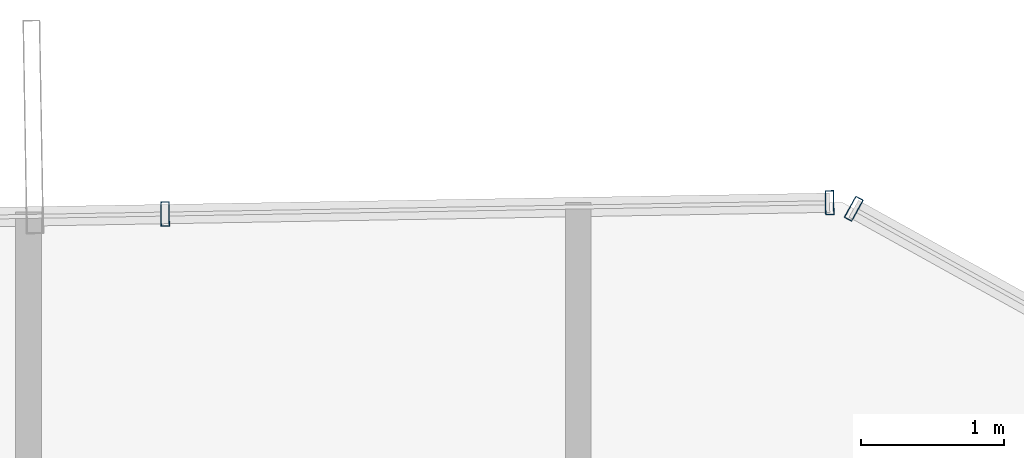
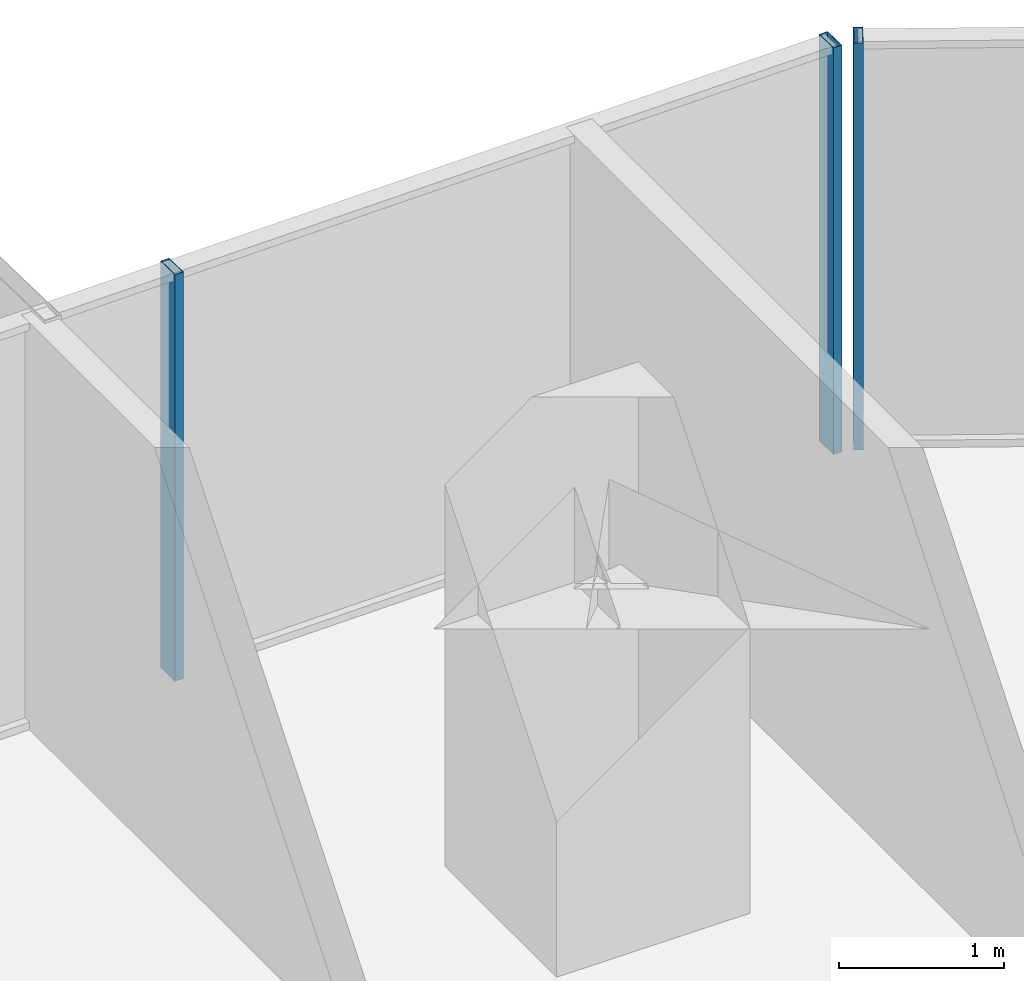
# One storey, part 29 of 39: 3 members, 2 elements without a shape of their own.
"""IFC4 building model written with IfcOpenShell, lengths in metres."""

import ifcopenshell
import ifcopenshell.guid

model = None  # the IFC model being written
_history = None  # IfcOwnerHistory: only IFC2X3 demands one
_inside = {}  # id of a spatial element -> (the spatial element, [elements in it])
_under = {}  # id of a project, library or spatial element -> (it, [spatial elements below it])
_declared = {}  # id of a project -> (the project, [libraries it declares])
_typed = {}  # id of a type object -> (the type object, [elements of that type])
_made_of = {}  # id of a material, layer set ... -> (it, [elements and type objects made of it])


def new_model(schema):
    """Start an empty IFC model of exactly this schema.

    Asked for "IFC4X3", IfcOpenShell would pick the latest addendum, in which some entities
    have other attributes; the version numbers below select the first issue.
    IFC2X3 requires an IfcOwnerHistory on every rooted entity: one is made here for all.
    """
    global model, _history
    if schema == "IFC4X3":
        model = ifcopenshell.file(schema_version=(4, 3, 0, 0))
    else:
        model = ifcopenshell.file(schema=schema)
    _inside.clear()
    _under.clear()
    _declared.clear()
    _typed.clear()
    _made_of.clear()
    _history = None
    if model.schema == "IFC2X3":
        org = make("IfcOrganization", Name="unknown")
        user = make(
            "IfcPersonAndOrganization",
            ThePerson=make("IfcPerson", FamilyName="unknown"),
            TheOrganization=org,
        )
        app = make(
            "IfcApplication",
            ApplicationDeveloper=org,
            Version="unknown",
            ApplicationFullName="unknown",
            ApplicationIdentifier="unknown",
        )
        _history = make(
            "IfcOwnerHistory",
            OwningUser=user,
            OwningApplication=app,
            ChangeAction="ADDED",
            CreationDate=0,
        )
    return model


def make(cls, **values):
    """One entity of the class cls with the attributes given. An attribute that is None is left unset."""
    return model.create_entity(
        cls, **{name: value for name, value in values.items() if value is not None}
    )


def rooted(cls, **values):
    """An entity with a GlobalId (a new one), such as an element, a storey or a relation."""
    return make(cls, GlobalId=ifcopenshell.guid.new(), OwnerHistory=_history, **values)


def si_unit(unit_type, name, prefix=None):
    """IfcSIUnit, for example si_unit("LENGTHUNIT", "METRE", prefix="MILLI")."""
    return make("IfcSIUnit", UnitType=unit_type, Prefix=prefix, Name=name)


def assignment(units):
    """IfcUnitAssignment: the units of a project."""
    return None if units is None else make("IfcUnitAssignment", Units=units)


def point(xyz):
    """IfcCartesianPoint."""
    return None if xyz is None else make("IfcCartesianPoint", Coordinates=xyz)


def direction(xyz):
    """IfcDirection."""
    return None if xyz is None else make("IfcDirection", DirectionRatios=xyz)


def frame(location, z_axis=None, x_axis=None):
    """IfcAxis2Placement3D, a coordinate frame: its origin and axes. An axis left out is left unset."""
    return make(
        "IfcAxis2Placement3D",
        Location=point(location),
        Axis=direction(z_axis),
        RefDirection=direction(x_axis),
    )


def frame_2d(location, x_axis=None):
    """IfcAxis2Placement2D, a coordinate frame in the plane: its origin and x axis."""
    return make(
        "IfcAxis2Placement2D", Location=point(location), RefDirection=direction(x_axis)
    )


def origin():
    """The frame at (0, 0, 0) with its axes left unset."""
    return frame((0.0, 0.0, 0.0))


def origin_2d():
    """The frame at (0, 0) in the plane with its x axis left unset."""
    return frame_2d((0.0, 0.0))


def place(relative_to, where):
    """IfcLocalPlacement: puts the frame where relative to a parent placement (None: the world)."""
    return make(
        "IfcLocalPlacement", PlacementRelTo=relative_to, RelativePlacement=where
    )


def context(
    kind, dimensions, precision=None, world=None, true_north=None, identifier=None
):
    """IfcGeometricRepresentationContext, for example the 3D "Model" context."""
    return make(
        "IfcGeometricRepresentationContext",
        ContextIdentifier=identifier,
        ContextType=kind,
        CoordinateSpaceDimension=dimensions,
        Precision=precision,
        WorldCoordinateSystem=world,
        TrueNorth=true_north,
    )


def subcontext(parent, identifier, kind, view, scale=None):
    """IfcGeometricRepresentationSubContext, for example "Body" below "Model"."""
    return make(
        "IfcGeometricRepresentationSubContext",
        ContextIdentifier=identifier,
        ContextType=kind,
        ParentContext=parent,
        TargetScale=scale,
        TargetView=view,
    )


def project(units=None, contexts=None):
    """IfcProject with its units and contexts."""
    return rooted(
        "IfcProject",
        Name="project",
        RepresentationContexts=contexts,
        UnitsInContext=assignment(units),
    )


def spatial(cls, under=None, at=None, **own):
    """A site, building, storey or space (cls), placed at a placement, below another one or the project."""
    s = rooted(cls, ObjectPlacement=at, **own)
    if under is not None:
        _under.setdefault(under.id(), (under, []))[1].append(s)
    return s


def profile(cls, at=None, kind="AREA", **sizes):
    """A parametric profile (cls). Its sizes go by their IFC names, for example OverallWidth=200.0."""
    return make(cls, ProfileType=kind, Position=at, **sizes)


def hollow_rectangle(**sizes):
    """IfcRectangleHollowProfileDef."""
    return profile("IfcRectangleHollowProfileDef", **sizes)


def extrude(swept, where, along, depth):
    """IfcExtrudedAreaSolid: the profile swept, set in the frame where, extruded along a direction by depth."""
    return make(
        "IfcExtrudedAreaSolid",
        SweptArea=swept,
        Position=where,
        ExtrudedDirection=direction(along),
        Depth=depth,
    )


def shape(context_of_items, identifier, shape_type, items):
    """IfcShapeRepresentation: the items that make up one representation, for example the "Body"."""
    return make(
        "IfcShapeRepresentation",
        ContextOfItems=context_of_items,
        RepresentationIdentifier=identifier,
        RepresentationType=shape_type,
        Items=items,
    )


def source(mapping_origin, context_of_items, identifier, shape_type, items):
    """IfcRepresentationMap: a shape defined once, which mapped items show again and again."""
    return make(
        "IfcRepresentationMap",
        MappingOrigin=mapping_origin,
        MappedRepresentation=shape(context_of_items, identifier, shape_type, items),
    )


def transform(
    local_origin,
    x_axis=None,
    y_axis=None,
    z_axis=None,
    scale=None,
    scale2=None,
    scale3=None,
    uniform=True,
):
    """IfcCartesianTransformationOperator3D, or its non-uniform kind. x_axis, y_axis, z_axis: its Axis1, 2, 3."""
    if uniform:
        return make(
            "IfcCartesianTransformationOperator3D",
            Axis1=direction(x_axis),
            Axis2=direction(y_axis),
            LocalOrigin=point(local_origin),
            Scale=scale,
            Axis3=direction(z_axis),
        )
    return make(
        "IfcCartesianTransformationOperator3DnonUniform",
        Axis1=direction(x_axis),
        Axis2=direction(y_axis),
        LocalOrigin=point(local_origin),
        Scale=scale,
        Axis3=direction(z_axis),
        Scale2=scale2,
        Scale3=scale3,
    )


def mapped(mapping_source, mapping_target):
    """IfcMappedItem: shows the shape of a source again, moved by a transform."""
    return make(
        "IfcMappedItem", MappingSource=mapping_source, MappingTarget=mapping_target
    )


def material(Name=None, Category=None):
    """IfcMaterial."""
    return make("IfcMaterial", Name=Name, Category=Category)


def layer(
    of_material, thickness, ventilated=None, Name=None, Category=None, Priority=None
):
    """IfcMaterialLayer: one layer of a wall or slab, of a material (None: an air gap)."""
    return make(
        "IfcMaterialLayer",
        Material=of_material,
        LayerThickness=thickness,
        IsVentilated=ventilated,
        Name=Name,
        Category=Category,
        Priority=Priority,
    )


def layer_set(layers, Name=None):
    """IfcMaterialLayerSet."""
    return make("IfcMaterialLayerSet", MaterialLayers=layers, LayerSetName=Name)


def material_profile(
    of_material, cross_section, Name=None, Category=None, Priority=None
):
    """IfcMaterialProfile: a cross section and its material."""
    return make(
        "IfcMaterialProfile",
        Name=Name,
        Material=of_material,
        Profile=cross_section,
        Priority=Priority,
        Category=Category,
    )


def profile_set(profiles, Name=None, composite=None):
    """IfcMaterialProfileSet."""
    return make(
        "IfcMaterialProfileSet",
        Name=Name,
        MaterialProfiles=profiles,
        CompositeProfile=composite,
    )


def made_of(thing, what):
    """Note that an element or type object is made of a material, layer set ...; save() writes the relation."""
    if what is not None:
        _made_of.setdefault(what.id(), (what, []))[1].append(thing)
    return thing


def type_object(cls, material=None, **own):
    """A type object (cls), such as IfcWallType, which elements share."""
    return made_of(rooted(cls, **own), material)


def element(
    cls,
    number,
    at=None,
    inside=None,
    cuts=None,
    type_object=None,
    material=None,
    context=None,
    identifier="Body",
    shape_type=None,
    held_by="IfcProductDefinitionShape",
    body=None,
    shapes=None,
    **own,
):
    """One element of the class cls, such as IfcWall. Its Tag is "e" and its number.

    at: its placement. inside: the storey or other place that contains it. cuts: it is an
    opening in that element (IfcRelVoidsElement). A single representation is given by context,
    identifier, shape_type and body (its items); several are given by shapes. held_by: the class
    of the entity that holds the representations. save() writes the other relations.
    """
    e = rooted(cls, Tag="e%d" % number, ObjectPlacement=at, **own)
    if body is not None:
        shapes = [shape(context, identifier, shape_type, body)]
    if shapes is not None:
        e.Representation = make(held_by, Representations=shapes)
    if inside is not None:
        _inside.setdefault(inside.id(), (inside, []))[1].append(e)
    if cuts is not None:
        rooted(
            "IfcRelVoidsElement", RelatingBuildingElement=cuts, RelatedOpeningElement=e
        )
    if type_object is not None:
        _typed.setdefault(type_object.id(), (type_object, []))[1].append(e)
    return made_of(e, material)


def aggregate(whole, parts):
    """IfcRelAggregates: a whole, such as a stair, and the parts it consists of."""
    return rooted("IfcRelAggregates", RelatingObject=whole, RelatedObjects=parts)


def save(model, path):
    """Write the relations noted so far, then the file.

    IfcRelAggregates (storeys below a building ...), IfcRelContainedInSpatialStructure (elements
    in a storey), IfcRelDefinesByType, IfcRelAssociatesMaterial and IfcRelDeclares: one each for
    every whole, place, type object, material and project.
    """
    for whole, parts in _under.values():
        aggregate(whole, parts)
    for where, things in _inside.values():
        rooted(
            "IfcRelContainedInSpatialStructure",
            RelatedElements=things,
            RelatingStructure=where,
        )
    for kind, things in _typed.values():
        rooted("IfcRelDefinesByType", RelatedObjects=things, RelatingType=kind)
    for what, things in _made_of.values():
        rooted("IfcRelAssociatesMaterial", RelatedObjects=things, RelatingMaterial=what)
    for by, libraries in _declared.values():
        rooted("IfcRelDeclares", RelatingContext=by, RelatedDefinitions=libraries)
    model.write(path)


model = new_model("IFC4")

# Units and contexts
model_context = context("Model", 3, precision=1e-05, world=origin(), true_north=direction((0.0, 1.0)))
body_context = subcontext(model_context, "Body", "Model", "MODEL_VIEW")
ifc_project = project(units=[si_unit("LENGTHUNIT", "METRE"), si_unit("AREAUNIT", "SQUARE_METRE"), si_unit("VOLUMEUNIT", "CUBIC_METRE"), si_unit("PLANEANGLEUNIT", "RADIAN"), si_unit("MASSUNIT", "GRAM", prefix="KILO")], contexts=[model_context])

# Site, building, storey
site_placement = place(None, origin())
site = spatial("IfcSite", under=ifc_project, at=site_placement, CompositionType="ELEMENT")
building_placement = place(site_placement, origin())
building = spatial("IfcBuilding", under=site, at=building_placement, Name="Veraguas Prism Commons", CompositionType="ELEMENT")
storey_placement = place(building_placement, frame((0.0, 0.0, 27.300048828125)))
storey = spatial("IfcBuildingStorey", under=building, at=storey_placement, Name="L06", CompositionType="ELEMENT", Elevation=27.300048828125)

# Curtain wall, members
ifc_material = material(Name="Anodised aluminium EN AW-6063 T6", Category="aluminium")
ifc_layer = layer(ifc_material, 0.169921875, Name="Unitised Flush Curtain Wall Zone 1", Category="aluminium")
ifc_layer_set = layer_set([ifc_layer], Name="Anodised aluminium EN AW-6063 T6")
curtain_wall_type = type_object("IfcCurtainWallType", Name="Unitised Flush Curtain Wall Zone 1", PredefinedType="NOTDEFINED", material=ifc_layer_set)
curtain_wall_1_placement = place(storey_placement, origin())
curtain_wall_1 = element("IfcCurtainWall", 1, at=curtain_wall_1_placement, inside=storey, type_object=curtain_wall_type, Name="Tower Facade Curtain Wall L06-F2", PredefinedType="NOTDEFINED")
ifc_material_profile = material_profile(ifc_material, hollow_rectangle(XDim=0.06005859375, YDim=0.169921875, WallThickness=0.00390625, at=origin_2d()), Name="AL60X170X4")
ifc_profile_set = profile_set([ifc_material_profile], Name="Anodised aluminium EN AW-6063 T6")
member_type = type_object("IfcMemberType", Name="Curtain Wall Mullion Lower AL 60x170x4", PredefinedType="MULLION", material=ifc_profile_set)
shared_shape = source(origin(), body_context, "Body", "SweptSolid", [
    extrude(hollow_rectangle(XDim=0.06005859375, YDim=0.169921875, WallThickness=0.00390625, at=origin_2d()), origin(), (0.0, 0.0, 1.0), 3.0),
])
member_1_placement = place(storey_placement, frame((32.955078125, 44.94091796875, 0.0), z_axis=(0.0, 0.0, 1.0), x_axis=(-0.999853696429, -0.017105137769, 0.0)))
member_1 = element("IfcMember", 2, at=member_1_placement, type_object=member_type, Name="CW-Z1 Mullion 1", PredefinedType="MULLION", context=body_context, shape_type="MappedRepresentation", body=[
    mapped(shared_shape, transform((0.0, 0.0, 0.0), scale=1.0)),
])
member_2_placement = place(storey_placement, frame((28.31494140625, 44.861572265625, 0.0), z_axis=(0.0, 0.0, 1.0), x_axis=(-0.999853696429, -0.017105137769, 0.0)))
member_2 = element("IfcMember", 3, at=member_2_placement, type_object=member_type, Name="CW-Z1 Mullion 2", PredefinedType="MULLION", context=body_context, shape_type="MappedRepresentation", body=[
    mapped(shared_shape, transform((0.0, 0.0, 0.0), scale=1.0)),
])
aggregate(curtain_wall_1, [member_1, member_2])

# Curtain wall, member
curtain_wall_2_placement = place(storey_placement, origin())
curtain_wall_2 = element("IfcCurtainWall", 4, at=curtain_wall_2_placement, inside=storey, type_object=curtain_wall_type, Name="Chamfer Curtain Wall L06-C2", PredefinedType="NOTDEFINED")
member_3_placement = place(storey_placement, frame((33.123779296875, 44.898681640625, 0.0), z_axis=(0.0, 0.0, 1.0), x_axis=(-0.874445343216, 0.485124047773, 0.0)))
member_3 = element("IfcMember", 5, at=member_3_placement, type_object=member_type, Name="CW-Z1 Mullion 2", PredefinedType="MULLION", context=body_context, shape_type="MappedRepresentation", body=[
    mapped(shared_shape, transform((0.0, 0.0, 0.0), scale=1.0)),
])
aggregate(curtain_wall_2, [member_3])

save(model, "model.ifc")
